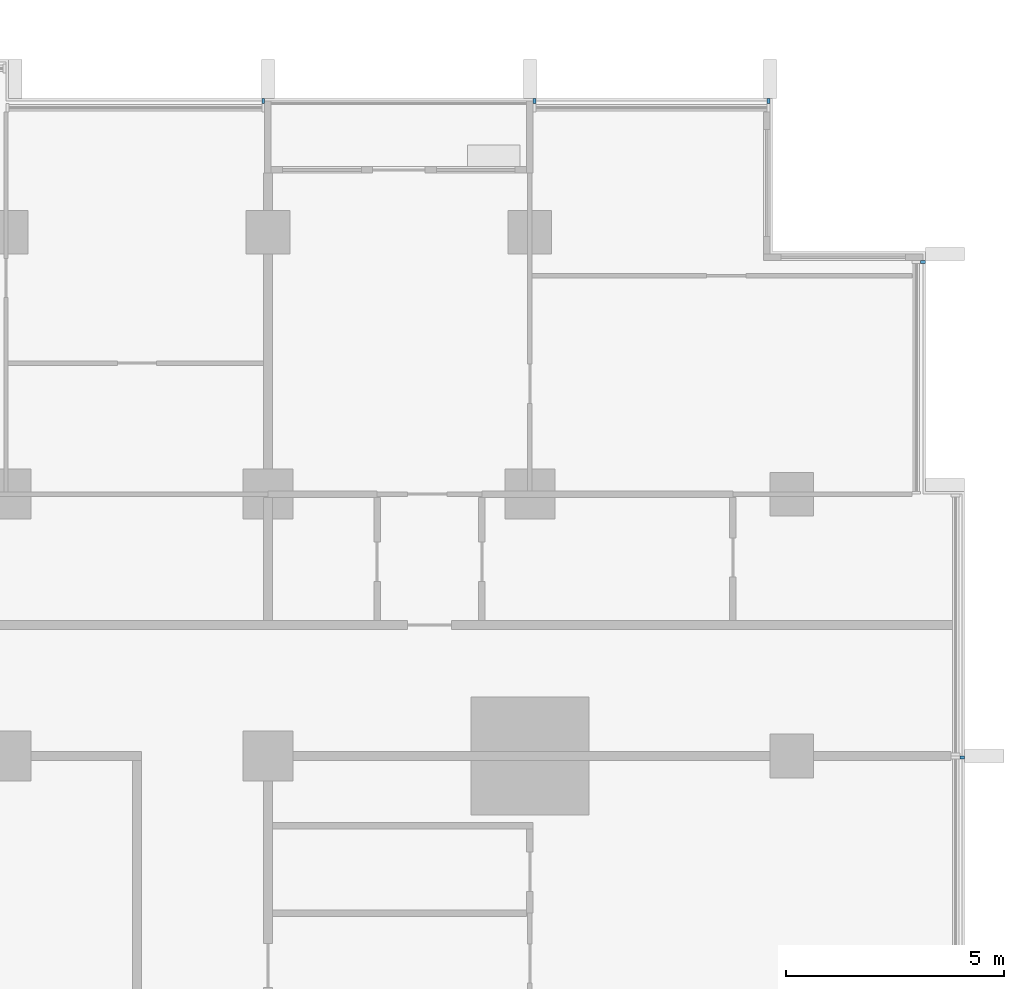
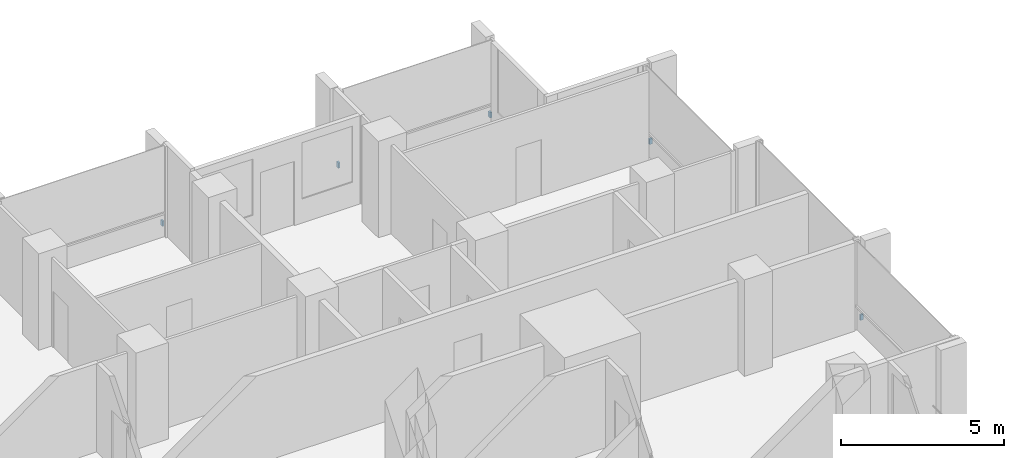
# One storey, part 16 of 17: 5 discrete accessories.
"""IFC4 building model written with IfcOpenShell, lengths in metres."""

from ifc_helpers import new_model, si_unit, direction, frame, origin, origin_2d, place, context, subcontext, project, spatial, rectangle, extrude, material, type_object, element, save


model = new_model("IFC4")

# Units and contexts
model_context = context("Model", 3, precision=1e-05, world=origin(), true_north=direction((0.0, 1.0)))
body_context = subcontext(model_context, "Body", "Model", "MODEL_VIEW")
ifc_project = project(units=[si_unit("LENGTHUNIT", "METRE"), si_unit("AREAUNIT", "SQUARE_METRE"), si_unit("VOLUMEUNIT", "CUBIC_METRE"), si_unit("PLANEANGLEUNIT", "RADIAN"), si_unit("MASSUNIT", "GRAM", prefix="KILO")], contexts=[model_context])

# Site, building, storey
site_placement = place(None, origin())
site = spatial("IfcSite", under=ifc_project, at=site_placement, CompositionType="ELEMENT")
building_placement = place(site_placement, origin())
building = spatial("IfcBuilding", under=site, at=building_placement, Name="Finial Court Residences", CompositionType="ELEMENT")
storey_placement = place(building_placement, frame((0.0, 0.0, 120.699951171875)))
storey = spatial("IfcBuildingStorey", under=building, at=storey_placement, Name="L30", CompositionType="ELEMENT", Elevation=120.699951171875)

# Discrete accessories
ifc_material = material(Name="Stainless steel 316", Category="steel")
discrete_accessory_type = type_object("IfcDiscreteAccessoryType", Name="Fin bracket, stainless steel 65 x 110 x 200", PredefinedType="BRACKET", material=ifc_material)
for number, where, z_axis, x_axis, name in (
    (1, (10.392578125, 22.5048828125, 0.30029296875), (0.0, 0.0, 1.0), (1.0, 0.0, 0.0), "E-L30-FIN-N6-BRK"),
    (2, (16.607421875, 22.5048828125, 0.30029296875), (0.0, 0.0, 1.0), (1.0, 0.0, 0.0), "E-L30-FIN-N7-BRK"),
    (3, (21.967529296875, 22.5048828125, 0.30029296875), (0.0, 0.0, 1.0), (1.0, 0.0, 0.0), "E-L30-FIN-N8-BRK"),
):
    element("IfcDiscreteAccessory", number, at=place(storey_placement, frame(where, z_axis=z_axis, x_axis=x_axis)), inside=storey, type_object=discrete_accessory_type, Name=name, PredefinedType="BRACKET", context=body_context, shape_type="SweptSolid", body=[
        extrude(rectangle(XDim=0.06494140625, YDim=0.110107421875, at=origin_2d()), origin(), (0.0, 0.0, 1.0), 0.199951171875),
    ])
for number, where, z_axis, x_axis, name in (
    (4, (26.405029296875, 7.467529296875, 0.30029296875), (0.0, 0.0, 1.0), (1.0, 0.0, 0.0), "E-L30-FIN-E13-BRK"),
    (5, (25.5048828125, 18.8173828125, 0.30029296875), (0.0, 0.0, 1.0), (1.0, 0.0, 0.0), "E-L30-FIN-E15-BRK"),
):
    element("IfcDiscreteAccessory", number, at=place(storey_placement, frame(where, z_axis=z_axis, x_axis=x_axis)), inside=storey, type_object=discrete_accessory_type, Name=name, PredefinedType="BRACKET", context=body_context, shape_type="SweptSolid", body=[
        extrude(rectangle(XDim=0.110107421875, YDim=0.06494140625, at=origin_2d()), origin(), (0.0, 0.0, 1.0), 0.199951171875),
    ])

save(model, "model.ifc")
